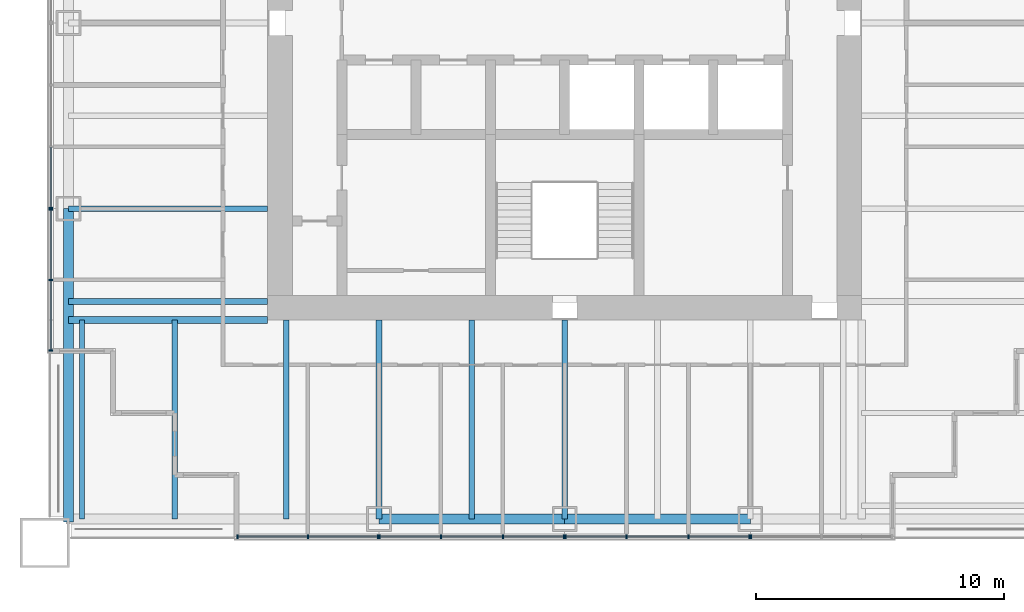
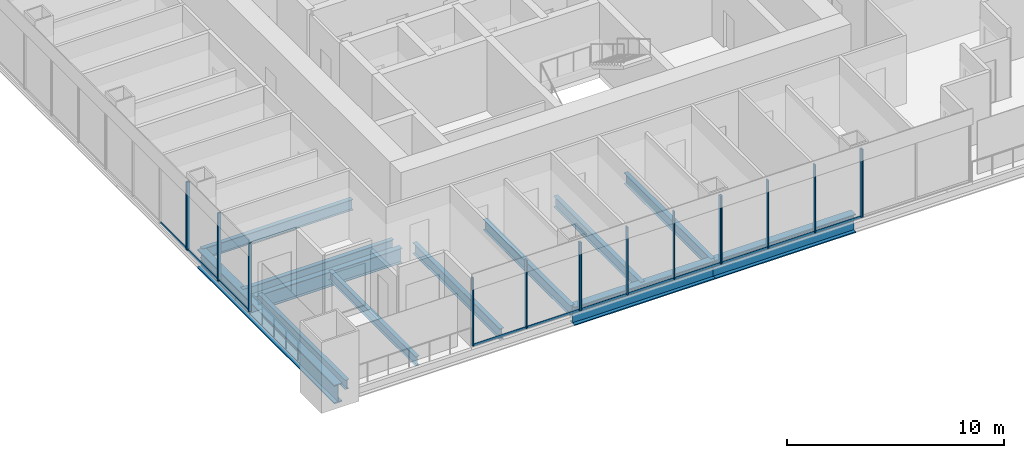
# One storey, part 2 of 15: 27 members, 12 beams, 6 elements without a shape of their own.
"""IFC4 building model written with IfcOpenShell, lengths in metres."""

from ifc_helpers import new_model, si_unit, direction, frame, origin, origin_2d, place, context, subcontext, project, spatial, rectangle, i_section, extrude, material, material_profile, profile_set, type_object, element, aggregate, save


model = new_model("IFC4")

# Units and contexts
model_context = context("Model", 3, precision=1e-05, world=origin(), true_north=direction((0.0, 1.0)))
body_context = subcontext(model_context, "Body", "Model", "MODEL_VIEW")
ifc_project = project(units=[si_unit("LENGTHUNIT", "METRE"), si_unit("AREAUNIT", "SQUARE_METRE"), si_unit("VOLUMEUNIT", "CUBIC_METRE"), si_unit("PLANEANGLEUNIT", "RADIAN"), si_unit("MASSUNIT", "GRAM", prefix="KILO")], contexts=[model_context])

# Site, building, storey
site_placement = place(None, origin())
site = spatial("IfcSite", under=ifc_project, at=site_placement, CompositionType="ELEMENT")
building_placement = place(site_placement, origin())
building = spatial("IfcBuilding", under=site, at=building_placement, Name="Tarangal Relay Tower", CompositionType="ELEMENT")
storey_placement = place(building_placement, frame((0.0, 0.0, 299.89990234375)))
storey = spatial("IfcBuildingStorey", under=building, at=storey_placement, Name="L66", CompositionType="ELEMENT", Elevation=299.89990234375)

# Beams
ifc_material_1 = material(Name="Steel ASTM A992", Category="steel")
ifc_material_profile_1 = material_profile(ifc_material_1, i_section(OverallWidth=0.209228515625, OverallDepth=0.533447265625, WebThickness=0.01025390625, FlangeThickness=0.015625, at=origin_2d()), Name="W21X62")
ifc_profile_set_1 = profile_set([ifc_material_profile_1], Name="Steel ASTM A992")
beam_type_1 = type_object("IfcBeamType", Name="Corner beam W21X62", PredefinedType="JOIST", material=ifc_profile_set_1)
for number, where, z_axis, x_axis, name in (
    (1, (-15.75, -12.0, -0.41650390625), (0.0, -1.0, 0.0), (1.0, 0.0, 0.0), "Corner beam CB12 S L66"),
    (2, (-19.5, -12.0, -0.41650390625), (0.0, -1.0, 0.0), (1.0, 0.0, 0.0), "Corner beam CB12 S L66"),
):
    element("IfcBeam", number, at=place(storey_placement, frame(where, z_axis=z_axis, x_axis=x_axis)), inside=storey, type_object=beam_type_1, Name=name, PredefinedType="JOIST", context=body_context, shape_type="SweptSolid", body=[
        extrude(i_section(OverallWidth=0.209228515625, OverallDepth=0.533447265625, WebThickness=0.01025390625, FlangeThickness=0.015625, at=origin_2d()), origin(), (0.0, 0.0, 1.0), 8.0400390625),
    ])
ifc_material_profile_2 = material_profile(ifc_material_1, i_section(OverallWidth=0.2919921875, OverallDepth=0.8408203125, WebThickness=0.0146484375, FlangeThickness=0.021728515625, at=origin_2d()), Name="W33X130")
ifc_profile_set_2 = profile_set([ifc_material_profile_2], Name="Steel ASTM A992")
beam_type_2 = type_object("IfcBeamType", Name="Corner girder W33X130", PredefinedType="BEAM", material=ifc_profile_set_2)
beam_1_placement = place(storey_placement, frame((-12.0, -12.0, -0.5703125), z_axis=(-1.0, 0.0, 0.0), x_axis=(0.0, -1.0, 0.0)))
element("IfcBeam", 3, at=beam_1_placement, inside=storey, type_object=beam_type_2, Name="Corner girder CG5 S L66", PredefinedType="BEAM", context=body_context, shape_type="SweptSolid", body=[
    extrude(i_section(OverallWidth=0.2919921875, OverallDepth=0.8408203125, WebThickness=0.0146484375, FlangeThickness=0.021728515625, at=origin_2d()), origin(), (0.0, 0.0, 1.0), 8.0400390625),
])
ifc_material_profile_3 = material_profile(ifc_material_1, i_section(OverallWidth=0.41162109375, OverallDepth=1.049072265625, WebThickness=0.033935546875, FlangeThickness=0.059814453125, at=origin_2d()), Name="W40X431")
ifc_profile_set_3 = profile_set([ifc_material_profile_3], Name="Steel ASTM A992")
beam_type_3 = type_object("IfcBeamType", Name="Edge girder W40X431", PredefinedType="SPANDREL", material=ifc_profile_set_3)
for number, where, z_axis, x_axis, name in (
    (4, (7.5, -20.0400390625, -0.67431640625), (-1.0, 0.0, 0.0), (0.0, -1.0, 0.0), "Edge girder EG1 S L66"),
    (5, (0.0, -20.0400390625, -0.67431640625), (-1.0, 0.0, 0.0), (0.0, -1.0, 0.0), "Edge girder EG1 S L66"),
):
    element("IfcBeam", number, at=place(storey_placement, frame(where, z_axis=z_axis, x_axis=x_axis)), inside=storey, type_object=beam_type_3, Name=name, PredefinedType="SPANDREL", context=body_context, shape_type="SweptSolid", body=[
        extrude(i_section(OverallWidth=0.41162109375, OverallDepth=1.049072265625, WebThickness=0.033935546875, FlangeThickness=0.059814453125, at=origin_2d()), origin(), (0.0, 0.0, 1.0), 7.5),
    ])
beam_2_placement = place(storey_placement, frame((-20.0400390625, -20.14990234375, -0.67431640625), z_axis=(0.0, 1.0, 0.0), x_axis=(-1.0, 0.0, 0.0)))
element("IfcBeam", 6, at=beam_2_placement, inside=storey, type_object=beam_type_3, Name="Edge girder EG1 W L66", PredefinedType="SPANDREL", context=body_context, shape_type="SweptSolid", body=[
    extrude(i_section(OverallWidth=0.41162109375, OverallDepth=1.049072265625, WebThickness=0.033935546875, FlangeThickness=0.059814453125, at=origin_2d()), origin(), (0.0, 0.0, 1.0), 12.64990234375),
])
ifc_material_profile_4 = material_profile(ifc_material_1, i_section(OverallWidth=0.228271484375, OverallDepth=0.607177734375, WebThickness=0.01123046875, FlangeThickness=0.017333984375, at=origin_2d()), Name="W24X76")
ifc_profile_set_4 = profile_set([ifc_material_profile_4], Name="Steel ASTM A992")
beam_type_4 = type_object("IfcBeamType", Name="Floor beam W24X76", PredefinedType="BEAM", material=ifc_profile_set_4)
for number, where, z_axis, x_axis, name in (
    (7, (0.0, -12.0, -0.453369140625), (0.0, -1.0, 0.0), (1.0, 0.0, 0.0), "Floor beam RB5 S L66"),
    (8, (-3.75, -12.0, -0.453369140625), (0.0, -1.0, 0.0), (1.0, 0.0, 0.0), "Floor beam RB5 S L66"),
    (9, (-7.5, -12.0, -0.453369140625), (0.0, -1.0, 0.0), (1.0, 0.0, 0.0), "Floor beam RB5 S L66"),
    (10, (-11.25, -12.0, -0.453369140625), (0.0, -1.0, 0.0), (1.0, 0.0, 0.0), "Floor beam RB5 S L66"),
    (11, (-12.0, -11.25, -0.453369140625), (-1.0, 0.0, 0.0), (0.0, -1.0, 0.0), "Floor beam RB5 W L66"),
    (12, (-12.0, -7.5, -0.453369140625), (-1.0, 0.0, 0.0), (0.0, -1.0, 0.0), "Floor beam RB5 W L66"),
):
    element("IfcBeam", number, at=place(storey_placement, frame(where, z_axis=z_axis, x_axis=x_axis)), inside=storey, type_object=beam_type_4, Name=name, PredefinedType="BEAM", context=body_context, shape_type="SweptSolid", body=[
        extrude(i_section(OverallWidth=0.228271484375, OverallDepth=0.607177734375, WebThickness=0.01123046875, FlangeThickness=0.017333984375, at=origin_2d()), origin(), (0.0, 0.0, 1.0), 8.0400390625),
    ])

# Curtain wall, member
ifc_material_2 = material(Name="Unitised curtain wall, dark glass and black aluminium", Category="aluminium")
curtain_wall_type = type_object("IfcCurtainWallType", Name="Curtain wall CW-B", PredefinedType="USERDEFINED", material=ifc_material_2)
curtain_wall_1_placement = place(storey_placement, origin())
curtain_wall_1 = element("IfcCurtainWall", 13, at=curtain_wall_1_placement, inside=storey, type_object=curtain_wall_type, Name="Curtain wall CW-B S facade L66", ObjectType="UNITISED CURTAIN WALL", PredefinedType="USERDEFINED")
ifc_material_3 = material(Name="Black anodised aluminium mullion", Category="aluminium")
ifc_material_profile_5 = material_profile(ifc_material_3, rectangle(XDim=0.159912109375, YDim=0.06005859375, at=origin_2d()), Name="CW-BM 60X160")
ifc_profile_set_5 = profile_set([ifc_material_profile_5], Name="Black anodised aluminium mullion")
member_type_1 = type_object("IfcMemberType", Name="Mullion CW-B 60 x 160", PredefinedType="MULLION", material=ifc_profile_set_5)
member_1_placement = place(storey_placement, frame((7.530029296875, -20.75, 0.0), z_axis=(0.0, 0.0, 1.0), x_axis=(0.0, -1.0, 0.0)))
member_1 = element("IfcMember", 14, at=member_1_placement, type_object=member_type_1, Name="CW-B mullion 3", PredefinedType="MULLION", context=body_context, shape_type="SweptSolid", body=[
    extrude(rectangle(XDim=0.159912109375, YDim=0.06005859375, at=origin_2d()), origin(), (0.0, 0.0, 1.0), 3.85009765625),
])
aggregate(curtain_wall_1, [member_1])

# Curtain wall, members
curtain_wall_2_placement = place(storey_placement, origin())
curtain_wall_2 = element("IfcCurtainWall", 15, at=curtain_wall_2_placement, inside=storey, type_object=curtain_wall_type, Name="Curtain wall CW-B S facade L66", ObjectType="UNITISED CURTAIN WALL", PredefinedType="USERDEFINED")
member_2_placement = place(storey_placement, frame((7.469970703125, -20.75, 0.0), z_axis=(0.0, 0.0, 1.0), x_axis=(0.0, -1.0, 0.0)))
member_2 = element("IfcMember", 16, at=member_2_placement, type_object=member_type_1, Name="CW-B mullion 1", PredefinedType="MULLION", context=body_context, shape_type="SweptSolid", body=[
    extrude(rectangle(XDim=0.159912109375, YDim=0.06005859375, at=origin_2d()), origin(), (0.0, 0.0, 1.0), 3.85009765625),
])
member_3_placement = place(storey_placement, frame((5.0, -20.75, 0.0), z_axis=(0.0, 0.0, 1.0), x_axis=(0.0, -1.0, 0.0)))
member_3 = element("IfcMember", 17, at=member_3_placement, type_object=member_type_1, Name="CW-B mullion 2", PredefinedType="MULLION", context=body_context, shape_type="SweptSolid", body=[
    extrude(rectangle(XDim=0.159912109375, YDim=0.06005859375, at=origin_2d()), origin(), (0.0, 0.0, 1.0), 3.85009765625),
])
member_4_placement = place(storey_placement, frame((2.5, -20.75, 0.0), z_axis=(0.0, 0.0, 1.0), x_axis=(0.0, -1.0, 0.0)))
member_4 = element("IfcMember", 18, at=member_4_placement, type_object=member_type_1, Name="CW-B mullion 3", PredefinedType="MULLION", context=body_context, shape_type="SweptSolid", body=[
    extrude(rectangle(XDim=0.159912109375, YDim=0.06005859375, at=origin_2d()), origin(), (0.0, 0.0, 1.0), 3.85009765625),
])
member_5_placement = place(storey_placement, frame((0.030029296875, -20.75, 0.0), z_axis=(0.0, 0.0, 1.0), x_axis=(0.0, -1.0, 0.0)))
member_5 = element("IfcMember", 19, at=member_5_placement, type_object=member_type_1, Name="CW-B mullion 4", PredefinedType="MULLION", context=body_context, shape_type="SweptSolid", body=[
    extrude(rectangle(XDim=0.159912109375, YDim=0.06005859375, at=origin_2d()), origin(), (0.0, 0.0, 1.0), 3.85009765625),
])

curtain_wall_3_placement = place(storey_placement, origin())
curtain_wall_3 = element("IfcCurtainWall", 20, at=curtain_wall_3_placement, inside=storey, type_object=curtain_wall_type, Name="Curtain wall CW-B S facade L66", ObjectType="UNITISED CURTAIN WALL", PredefinedType="USERDEFINED")
member_6_placement = place(storey_placement, frame((-0.030029296875, -20.75, 0.0), z_axis=(0.0, 0.0, 1.0), x_axis=(0.0, -1.0, 0.0)))
member_6 = element("IfcMember", 21, at=member_6_placement, type_object=member_type_1, Name="CW-B mullion 1", PredefinedType="MULLION", context=body_context, shape_type="SweptSolid", body=[
    extrude(rectangle(XDim=0.159912109375, YDim=0.06005859375, at=origin_2d()), origin(), (0.0, 0.0, 1.0), 3.85009765625),
])
member_7_placement = place(storey_placement, frame((-2.5, -20.75, 0.0), z_axis=(0.0, 0.0, 1.0), x_axis=(0.0, -1.0, 0.0)))
member_7 = element("IfcMember", 22, at=member_7_placement, type_object=member_type_1, Name="CW-B mullion 2", PredefinedType="MULLION", context=body_context, shape_type="SweptSolid", body=[
    extrude(rectangle(XDim=0.159912109375, YDim=0.06005859375, at=origin_2d()), origin(), (0.0, 0.0, 1.0), 3.85009765625),
])
member_8_placement = place(storey_placement, frame((-5.0, -20.75, 0.0), z_axis=(0.0, 0.0, 1.0), x_axis=(0.0, -1.0, 0.0)))
member_8 = element("IfcMember", 23, at=member_8_placement, type_object=member_type_1, Name="CW-B mullion 3", PredefinedType="MULLION", context=body_context, shape_type="SweptSolid", body=[
    extrude(rectangle(XDim=0.159912109375, YDim=0.06005859375, at=origin_2d()), origin(), (0.0, 0.0, 1.0), 3.85009765625),
])
member_9_placement = place(storey_placement, frame((-7.469970703125, -20.75, 0.0), z_axis=(0.0, 0.0, 1.0), x_axis=(0.0, -1.0, 0.0)))
member_9 = element("IfcMember", 24, at=member_9_placement, type_object=member_type_1, Name="CW-B mullion 4", PredefinedType="MULLION", context=body_context, shape_type="SweptSolid", body=[
    extrude(rectangle(XDim=0.159912109375, YDim=0.06005859375, at=origin_2d()), origin(), (0.0, 0.0, 1.0), 3.85009765625),
])

curtain_wall_4_placement = place(storey_placement, origin())
curtain_wall_4 = element("IfcCurtainWall", 25, at=curtain_wall_4_placement, inside=storey, type_object=curtain_wall_type, Name="Curtain wall CW-B S facade L66", ObjectType="UNITISED CURTAIN WALL", PredefinedType="USERDEFINED")
member_10_placement = place(storey_placement, frame((-7.530029296875, -20.75, 0.0), z_axis=(0.0, 0.0, 1.0), x_axis=(0.0, -1.0, 0.0)))
member_10 = element("IfcMember", 26, at=member_10_placement, type_object=member_type_1, Name="CW-B mullion 1", PredefinedType="MULLION", context=body_context, shape_type="SweptSolid", body=[
    extrude(rectangle(XDim=0.159912109375, YDim=0.06005859375, at=origin_2d()), origin(), (0.0, 0.0, 1.0), 3.85009765625),
])
member_11_placement = place(storey_placement, frame((-10.375, -20.75, 0.0), z_axis=(0.0, 0.0, 1.0), x_axis=(0.0, -1.0, 0.0)))
member_11 = element("IfcMember", 27, at=member_11_placement, type_object=member_type_1, Name="CW-B mullion 2", PredefinedType="MULLION", context=body_context, shape_type="SweptSolid", body=[
    extrude(rectangle(XDim=0.159912109375, YDim=0.06005859375, at=origin_2d()), origin(), (0.0, 0.0, 1.0), 3.85009765625),
])
member_12_placement = place(storey_placement, frame((-13.219970703125, -20.75, 0.0), z_axis=(0.0, 0.0, 1.0), x_axis=(0.0, -1.0, 0.0)))
member_12 = element("IfcMember", 28, at=member_12_placement, type_object=member_type_1, Name="CW-B mullion 3", PredefinedType="MULLION", context=body_context, shape_type="SweptSolid", body=[
    extrude(rectangle(XDim=0.159912109375, YDim=0.06005859375, at=origin_2d()), origin(), (0.0, 0.0, 1.0), 3.85009765625),
])

curtain_wall_5_placement = place(storey_placement, origin())
curtain_wall_5 = element("IfcCurtainWall", 29, at=curtain_wall_5_placement, inside=storey, type_object=curtain_wall_type, Name="Curtain wall CW-B W facade L66", ObjectType="UNITISED CURTAIN WALL", PredefinedType="USERDEFINED")
member_13_placement = place(storey_placement, frame((-20.75, -13.219970703125, 0.0), z_axis=(0.0, 0.0, 1.0), x_axis=(-1.0, 0.0, 0.0)))
member_13 = element("IfcMember", 30, at=member_13_placement, type_object=member_type_1, Name="CW-B mullion 1", PredefinedType="MULLION", context=body_context, shape_type="SweptSolid", body=[
    extrude(rectangle(XDim=0.159912109375, YDim=0.06005859375, at=origin_2d()), origin(), (0.0, 0.0, 1.0), 3.85009765625),
])
member_14_placement = place(storey_placement, frame((-20.75, -10.375, 0.0), z_axis=(0.0, 0.0, 1.0), x_axis=(-1.0, 0.0, 0.0)))
member_14 = element("IfcMember", 31, at=member_14_placement, type_object=member_type_1, Name="CW-B mullion 2", PredefinedType="MULLION", context=body_context, shape_type="SweptSolid", body=[
    extrude(rectangle(XDim=0.159912109375, YDim=0.06005859375, at=origin_2d()), origin(), (0.0, 0.0, 1.0), 3.85009765625),
])
member_15_placement = place(storey_placement, frame((-20.75, -7.530029296875, 0.0), z_axis=(0.0, 0.0, 1.0), x_axis=(-1.0, 0.0, 0.0)))
member_15 = element("IfcMember", 32, at=member_15_placement, type_object=member_type_1, Name="CW-B mullion 3", PredefinedType="MULLION", context=body_context, shape_type="SweptSolid", body=[
    extrude(rectangle(XDim=0.159912109375, YDim=0.06005859375, at=origin_2d()), origin(), (0.0, 0.0, 1.0), 3.85009765625),
])

# Curtain wall, member
curtain_wall_6_placement = place(storey_placement, origin())
curtain_wall_6 = element("IfcCurtainWall", 33, at=curtain_wall_6_placement, inside=storey, type_object=curtain_wall_type, Name="Curtain wall CW-B W facade L66", ObjectType="UNITISED CURTAIN WALL", PredefinedType="USERDEFINED")
member_16_placement = place(storey_placement, frame((-20.75, -7.469970703125, 0.0), z_axis=(0.0, 0.0, 1.0), x_axis=(-1.0, 0.0, 0.0)))
member_16 = element("IfcMember", 34, at=member_16_placement, type_object=member_type_1, Name="CW-B mullion 1", PredefinedType="MULLION", context=body_context, shape_type="SweptSolid", body=[
    extrude(rectangle(XDim=0.159912109375, YDim=0.06005859375, at=origin_2d()), origin(), (0.0, 0.0, 1.0), 3.85009765625),
])

# Member
ifc_material_4 = material(Name="Black anodised aluminium transom", Category="aluminium")
ifc_material_profile_6 = material_profile(ifc_material_4, rectangle(XDim=0.06005859375, YDim=0.1298828125, at=origin_2d()), Name="CW-BT 60X130")
ifc_profile_set_6 = profile_set([ifc_material_profile_6], Name="Black anodised aluminium transom")
member_type_2 = type_object("IfcMemberType", Name="Transom CW-B 60 x 130", PredefinedType="USERDEFINED", material=ifc_profile_set_6)
member_17_placement = place(storey_placement, frame((7.43994140625, -20.75, 0.030029296875), z_axis=(-1.0, 0.0, 0.0), x_axis=(0.0, -1.0, 0.0)))
member_17 = element("IfcMember", 35, at=member_17_placement, type_object=member_type_2, Name="CW-B transom 1.1", ObjectType="TRANSOM", PredefinedType="USERDEFINED", context=body_context, shape_type="SweptSolid", body=[
    extrude(rectangle(XDim=0.06005859375, YDim=0.1298828125, at=origin_2d()), origin(), (0.0, 0.0, 1.0), 2.409912109375),
])

member_18_placement = place(storey_placement, frame((4.969970703125, -20.75, 0.030029296875), z_axis=(-1.0, 0.0, 0.0), x_axis=(0.0, -1.0, 0.0)))
member_18 = element("IfcMember", 36, at=member_18_placement, type_object=member_type_2, Name="CW-B transom 2.1", ObjectType="TRANSOM", PredefinedType="USERDEFINED", context=body_context, shape_type="SweptSolid", body=[
    extrude(rectangle(XDim=0.06005859375, YDim=0.1298828125, at=origin_2d()), origin(), (0.0, 0.0, 1.0), 2.43994140625),
])

member_19_placement = place(storey_placement, frame((2.469970703125, -20.75, 0.030029296875), z_axis=(-1.0, 0.0, 0.0), x_axis=(0.0, -1.0, 0.0)))
member_19 = element("IfcMember", 37, at=member_19_placement, type_object=member_type_2, Name="CW-B transom 3.1", ObjectType="TRANSOM", PredefinedType="USERDEFINED", context=body_context, shape_type="SweptSolid", body=[
    extrude(rectangle(XDim=0.06005859375, YDim=0.1298828125, at=origin_2d()), origin(), (0.0, 0.0, 1.0), 2.409912109375),
])

aggregate(curtain_wall_2, [member_2, member_3, member_4, member_5, member_17, member_18, member_19])

member_20_placement = place(storey_placement, frame((-0.06005859375, -20.75, 0.030029296875), z_axis=(-1.0, 0.0, 0.0), x_axis=(0.0, -1.0, 0.0)))
member_20 = element("IfcMember", 38, at=member_20_placement, type_object=member_type_2, Name="CW-B transom 1.1", ObjectType="TRANSOM", PredefinedType="USERDEFINED", context=body_context, shape_type="SweptSolid", body=[
    extrude(rectangle(XDim=0.06005859375, YDim=0.1298828125, at=origin_2d()), origin(), (0.0, 0.0, 1.0), 2.409912109375),
])

member_21_placement = place(storey_placement, frame((-2.530029296875, -20.75, 0.030029296875), z_axis=(-1.0, 0.0, 0.0), x_axis=(0.0, -1.0, 0.0)))
member_21 = element("IfcMember", 39, at=member_21_placement, type_object=member_type_2, Name="CW-B transom 2.1", ObjectType="TRANSOM", PredefinedType="USERDEFINED", context=body_context, shape_type="SweptSolid", body=[
    extrude(rectangle(XDim=0.06005859375, YDim=0.1298828125, at=origin_2d()), origin(), (0.0, 0.0, 1.0), 2.43994140625),
])

member_22_placement = place(storey_placement, frame((-5.030029296875, -20.75, 0.030029296875), z_axis=(-1.0, 0.0, 0.0), x_axis=(0.0, -1.0, 0.0)))
member_22 = element("IfcMember", 40, at=member_22_placement, type_object=member_type_2, Name="CW-B transom 3.1", ObjectType="TRANSOM", PredefinedType="USERDEFINED", context=body_context, shape_type="SweptSolid", body=[
    extrude(rectangle(XDim=0.06005859375, YDim=0.1298828125, at=origin_2d()), origin(), (0.0, 0.0, 1.0), 2.409912109375),
])

aggregate(curtain_wall_3, [member_6, member_7, member_8, member_9, member_20, member_21, member_22])

member_23_placement = place(storey_placement, frame((-7.56005859375, -20.75, 0.030029296875), z_axis=(-1.0, 0.0, 0.0), x_axis=(0.0, -1.0, 0.0)))
member_23 = element("IfcMember", 41, at=member_23_placement, type_object=member_type_2, Name="CW-B transom 1.1", ObjectType="TRANSOM", PredefinedType="USERDEFINED", context=body_context, shape_type="SweptSolid", body=[
    extrude(rectangle(XDim=0.06005859375, YDim=0.1298828125, at=origin_2d()), origin(), (0.0, 0.0, 1.0), 2.784912109375),
])

member_24_placement = place(storey_placement, frame((-10.405029296875, -20.75, 0.030029296875), z_axis=(-1.0, 0.0, 0.0), x_axis=(0.0, -1.0, 0.0)))
member_24 = element("IfcMember", 42, at=member_24_placement, type_object=member_type_2, Name="CW-B transom 2.1", ObjectType="TRANSOM", PredefinedType="USERDEFINED", context=body_context, shape_type="SweptSolid", body=[
    extrude(rectangle(XDim=0.06005859375, YDim=0.1298828125, at=origin_2d()), origin(), (0.0, 0.0, 1.0), 2.784912109375),
])

aggregate(curtain_wall_4, [member_10, member_11, member_12, member_23, member_24])

member_25_placement = place(storey_placement, frame((-20.75, -13.18994140625, 0.030029296875), z_axis=(0.0, 1.0, 0.0), x_axis=(-1.0, 0.0, 0.0)))
member_25 = element("IfcMember", 43, at=member_25_placement, type_object=member_type_2, Name="CW-B transom 1.1", ObjectType="TRANSOM", PredefinedType="USERDEFINED", context=body_context, shape_type="SweptSolid", body=[
    extrude(rectangle(XDim=0.06005859375, YDim=0.1298828125, at=origin_2d()), origin(), (0.0, 0.0, 1.0), 2.784912109375),
])

member_26_placement = place(storey_placement, frame((-20.75, -10.344970703125, 0.030029296875), z_axis=(0.0, 1.0, 0.0), x_axis=(-1.0, 0.0, 0.0)))
member_26 = element("IfcMember", 44, at=member_26_placement, type_object=member_type_2, Name="CW-B transom 2.1", ObjectType="TRANSOM", PredefinedType="USERDEFINED", context=body_context, shape_type="SweptSolid", body=[
    extrude(rectangle(XDim=0.06005859375, YDim=0.1298828125, at=origin_2d()), origin(), (0.0, 0.0, 1.0), 2.784912109375),
])

aggregate(curtain_wall_5, [member_13, member_14, member_15, member_25, member_26])

member_27_placement = place(storey_placement, frame((-20.75, -7.43994140625, 0.030029296875), z_axis=(0.0, 1.0, 0.0), x_axis=(-1.0, 0.0, 0.0)))
member_27 = element("IfcMember", 45, at=member_27_placement, type_object=member_type_2, Name="CW-B transom 1.1", ObjectType="TRANSOM", PredefinedType="USERDEFINED", context=body_context, shape_type="SweptSolid", body=[
    extrude(rectangle(XDim=0.06005859375, YDim=0.1298828125, at=origin_2d()), origin(), (0.0, 0.0, 1.0), 2.409912109375),
])

aggregate(curtain_wall_6, [member_16, member_27])

save(model, "model.ifc")
